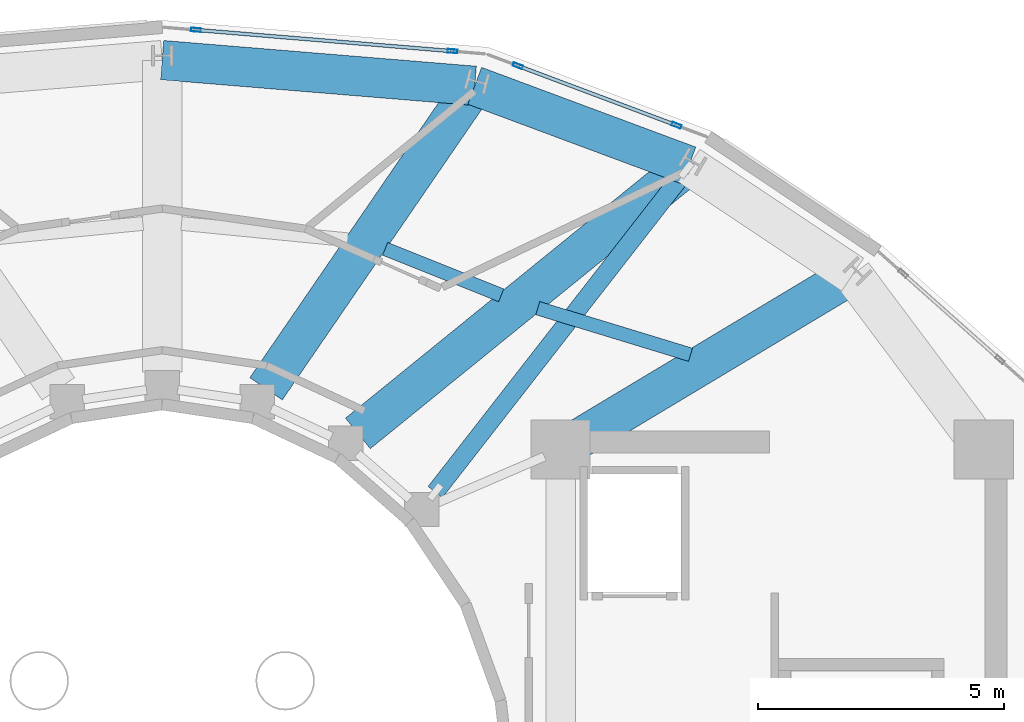
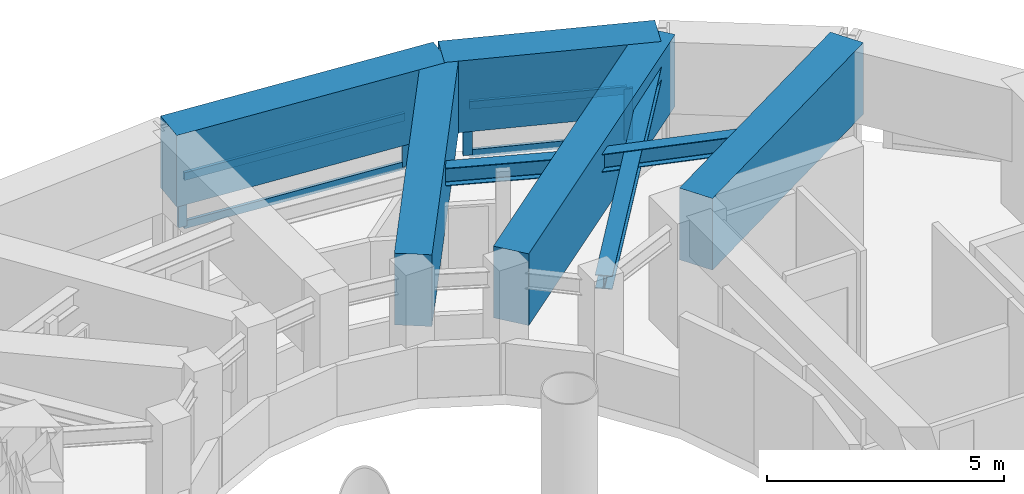
# One storey, part 9 of 17: 9 members, 7 beams, 2 elements without a shape of their own.
"""IFC4 building model written with IfcOpenShell, lengths in metres."""

from ifc_helpers import new_model, si_unit, direction, frame, origin, origin_2d, place, context, subcontext, project, spatial, rectangle, hollow_rectangle, i_section, extrude, material, layer, layer_set, material_profile, profile_set, type_object, element, aggregate, save


model = new_model("IFC4")

# Units and contexts
model_context = context("Model", 3, precision=1e-05, world=origin(), true_north=direction((0.0, 1.0)))
body_context = subcontext(model_context, "Body", "Model", "MODEL_VIEW")
ifc_project = project(units=[si_unit("LENGTHUNIT", "METRE"), si_unit("AREAUNIT", "SQUARE_METRE"), si_unit("VOLUMEUNIT", "CUBIC_METRE"), si_unit("PLANEANGLEUNIT", "RADIAN"), si_unit("MASSUNIT", "GRAM", prefix="KILO")], contexts=[model_context])

# Site, building, storey
site_placement = place(None, origin())
site = spatial("IfcSite", under=ifc_project, at=site_placement, CompositionType="ELEMENT")
building_placement = place(site_placement, origin())
building = spatial("IfcBuilding", under=site, at=building_placement, Name="Solvane Sanctuary Tower", CompositionType="ELEMENT")
storey_placement = place(building_placement, frame((0.0, 0.0, 270.0)))
storey = spatial("IfcBuildingStorey", under=building, at=storey_placement, Name="L82", CompositionType="ELEMENT", Elevation=270.0)

# Beams
ifc_material_1 = material(Name="Steel ASTM A992 Grade 50", Category="steel")
ifc_material_profile_1 = material_profile(ifc_material_1, i_section(OverallWidth=0.280029296875, OverallDepth=0.462890625, WebThickness=0.0107421875, FlangeThickness=0.017333984375, FilletRadius=0.013916015625, at=origin_2d()), Name="W18X76")
ifc_profile_set_1 = profile_set([ifc_material_profile_1], Name="Steel ASTM A992 Grade 50")
beam_type_1 = type_object("IfcBeamType", Name="Beam B-SEC-JOIST W18X76", PredefinedType="JOIST", material=ifc_profile_set_1)
beam_1_placement = place(storey_placement, frame((36.531494140625, 34.27978515625, 2.70654296875), z_axis=(0.928403778537, -0.371572905361, 0.0), x_axis=(0.371572905361, 0.928403778537, 0.0)))
element("IfcBeam", 1, at=beam_1_placement, inside=storey, type_object=beam_type_1, Name="L82 Secondary Circumferential Joist 03-02", PredefinedType="JOIST", context=body_context, shape_type="SweptSolid", body=[
    extrude(i_section(OverallWidth=0.280029296875, OverallDepth=0.462890625, WebThickness=0.0107421875, FlangeThickness=0.017333984375, FilletRadius=0.013916015625, at=origin_2d()), origin(), (0.0, 0.0, 1.0), 2.540771484375),
])
beam_2_placement = place(storey_placement, frame((39.634765625, 33.07373046875, 2.70654296875), z_axis=(0.956493340027, -0.291754161041, 0.0), x_axis=(0.291754161041, 0.956493340027, 0.0)))
element("IfcBeam", 2, at=beam_2_placement, inside=storey, type_object=beam_type_1, Name="L82 Secondary Circumferential Joist 02-01", PredefinedType="JOIST", context=body_context, shape_type="SweptSolid", body=[
    extrude(i_section(OverallWidth=0.280029296875, OverallDepth=0.462890625, WebThickness=0.0107421875, FlangeThickness=0.017333984375, FilletRadius=0.013916015625, at=origin_2d()), origin(), (0.0, 0.0, 1.0), 3.245849609375),
])
ifc_material_2 = material(Name="Concrete C70/85", Category="concrete")
ifc_material_profile_2 = material_profile(ifc_material_2, rectangle(XDim=0.800048828125, YDim=1.85009765625, at=origin_2d()), Name="RC800X1850")
ifc_profile_set_2 = profile_set([ifc_material_profile_2], Name="Concrete C70/85")
beam_type_2 = type_object("IfcBeamType", Name="Beam B-XFER-BLK RC800X1850", PredefinedType="BEAM", material=ifc_profile_set_2)
beam_3_placement = place(storey_placement, frame((40.40869140625, 30.38525390625, 2.27490234375), z_axis=(0.857355357387, 0.514724966521, 0.0), x_axis=(-0.514724966521, 0.857355357387, 0.0)))
element("IfcBeam", 3, at=beam_3_placement, inside=storey, type_object=beam_type_2, Name="L82 Block-Shift Radial Transfer Girder 01A", PredefinedType="BEAM", context=body_context, shape_type="SweptSolid", body=[
    extrude(rectangle(XDim=0.800048828125, YDim=1.85009765625, at=origin_2d()), origin(), (0.0, 0.0, 1.0), 6.578125),
])
beam_4_placement = place(storey_placement, frame((35.978515625, 30.5283203125, 2.27490234375), z_axis=(0.776498254758, 0.630119401667, 0.0), x_axis=(-0.630119401667, 0.776498254758, 0.0)))
element("IfcBeam", 4, at=beam_4_placement, inside=storey, type_object=beam_type_2, Name="L82 Block-Shift Radial Transfer Girder 02A", PredefinedType="BEAM", context=body_context, shape_type="SweptSolid", body=[
    extrude(rectangle(XDim=0.800048828125, YDim=1.85009765625, at=origin_2d()), origin(), (0.0, 0.0, 1.0), 8.66455078125),
])
beam_5_placement = place(storey_placement, frame((34.11181640625, 31.435546875, 2.27490234375), z_axis=(0.565871663748, 0.824493335429, 0.0), x_axis=(-0.824493335429, 0.565871663748, 0.0)))
element("IfcBeam", 5, at=beam_5_placement, inside=storey, type_object=beam_type_2, Name="L82 Block-Shift Radial Transfer Girder 03A", PredefinedType="BEAM", context=body_context, shape_type="SweptSolid", body=[
    extrude(rectangle(XDim=0.800048828125, YDim=1.85009765625, at=origin_2d()), origin(), (0.0, 0.0, 1.0), 7.4755859375),
])
beam_6_placement = place(storey_placement, frame((32.0, 38.115966796875, 2.27490234375), z_axis=(0.996639145051, -0.081917120015, 0.0), x_axis=(0.081917120015, 0.996639145051, 0.0)))
element("IfcBeam", 6, at=beam_6_placement, inside=storey, type_object=beam_type_2, Name="L82 Perimeter Step Transfer Ring NTC04-NTC03", PredefinedType="BEAM", context=body_context, shape_type="SweptSolid", body=[
    extrude(rectangle(XDim=0.800048828125, YDim=1.85009765625, at=origin_2d()), origin(), (0.0, 0.0, 1.0), 6.375),
])
beam_7_placement = place(storey_placement, frame((38.353515625, 37.59375, 2.27490234375), z_axis=(0.937181506682, -0.348842118348, 0.0), x_axis=(0.348842118348, 0.937181506682, 0.0)))
element("IfcBeam", 7, at=beam_7_placement, inside=storey, type_object=beam_type_2, Name="L82 Perimeter Step Transfer Ring NTC03-NTC02", PredefinedType="BEAM", context=body_context, shape_type="SweptSolid", body=[
    extrude(rectangle(XDim=0.800048828125, YDim=1.85009765625, at=origin_2d()), origin(), (0.0, 0.0, 1.0), 4.646484375),
])

# Member
ifc_material_profile_3 = material_profile(ifc_material_1, i_section(OverallWidth=0.368896484375, OverallDepth=0.35595703125, WebThickness=0.01123046875, FlangeThickness=0.01806640625, FilletRadius=0.02490234375, at=origin_2d()), Name="W14X90")
ifc_profile_set_3 = profile_set([ifc_material_profile_3], Name="Steel ASTM A992 Grade 50")
member_type_1 = type_object("IfcMemberType", Name="Member M-CROWN-TIE W14X90", PredefinedType="CHORD", material=ifc_profile_set_3)
member_1_placement = place(storey_placement, frame((37.5537109375, 29.33984375, 2.54052734375), z_axis=(0.614546206498, 0.788532701367, 0.02343371403), x_axis=(-0.788749297589, 0.614715011654, 0.0)))
element("IfcMember", 8, at=member_1_placement, inside=storey, type_object=member_type_1, Name="L82 Crown Bracing Tie 01", PredefinedType="CHORD", context=body_context, shape_type="SweptSolid", body=[
    extrude(i_section(OverallWidth=0.368896484375, OverallDepth=0.35595703125, WebThickness=0.01123046875, FlangeThickness=0.01806640625, FilletRadius=0.02490234375, at=origin_2d()), origin(), (0.0, 0.0, 1.0), 8.29296875),
])

# Curtain wall, members
ifc_material_3 = material(Name="Anodised Aluminium 6063-T6", Category="aluminium")
ifc_layer = layer(ifc_material_3, 0.219970703125, Name="Anodised Aluminium 6063-T6")
ifc_layer_set = layer_set([ifc_layer], Name="Anodised Aluminium 6063-T6")
curtain_wall_type = type_object("IfcCurtainWallType", Name="Curtain Wall CW-CROWN", PredefinedType="NOTDEFINED", material=ifc_layer_set)
curtain_wall_1_placement = place(storey_placement, origin())
curtain_wall_1 = element("IfcCurtainWall", 9, at=curtain_wall_1_placement, inside=storey, type_object=curtain_wall_type, Name="L82 Crown Fritted Lantern Curtain Wall 04", PredefinedType="NOTDEFINED")
ifc_material_profile_4 = material_profile(ifc_material_3, hollow_rectangle(XDim=0.074951171875, YDim=0.199951171875, WallThickness=0.00390625, at=origin_2d()), Name="ALU200X75X4")
ifc_profile_set_4 = profile_set([ifc_material_profile_4], Name="Anodised Aluminium 6063-T6")
member_type_2 = type_object("IfcMemberType", Name="Member M-CW-MUL-1 ALU200X75X4", PredefinedType="MULLION", material=ifc_profile_set_4)
member_2_placement = place(storey_placement, frame((42.455322265625, 36.790283203125, 0.0), z_axis=(0.0, 0.0, 1.0), x_axis=(-0.351170134187, -0.936311666517, 0.0)))
member_2 = element("IfcMember", 10, at=member_2_placement, type_object=member_type_2, Name="CW-CROWN mullion 1", PredefinedType="MULLION", context=body_context, shape_type="SweptSolid", body=[
    extrude(hollow_rectangle(XDim=0.074951171875, YDim=0.199951171875, WallThickness=0.00390625, at=origin_2d()), origin(), (0.0, 0.0, 1.0), 1.320068359375),
])
member_3_placement = place(storey_placement, frame((39.229248046875, 38.000244140625, 0.0), z_axis=(0.0, 0.0, 1.0), x_axis=(-0.351170134187, -0.936311666517, 0.0)))
member_3 = element("IfcMember", 11, at=member_3_placement, type_object=member_type_2, Name="CW-CROWN mullion 2", PredefinedType="MULLION", context=body_context, shape_type="SweptSolid", body=[
    extrude(hollow_rectangle(XDim=0.074951171875, YDim=0.199951171875, WallThickness=0.00390625, at=origin_2d()), origin(), (0.0, 0.0, 1.0), 1.320068359375),
])

curtain_wall_2_placement = place(storey_placement, origin())
curtain_wall_2 = element("IfcCurtainWall", 12, at=curtain_wall_2_placement, inside=storey, type_object=curtain_wall_type, Name="L82 Crown Fritted Lantern Curtain Wall 05", PredefinedType="NOTDEFINED")
member_4_placement = place(storey_placement, frame((37.900390625, 38.29833984375, 0.0), z_axis=(0.0, 0.0, 1.0), x_axis=(-0.08253563446, -0.996588114039, 0.0)))
member_4 = element("IfcMember", 13, at=member_4_placement, type_object=member_type_2, Name="CW-CROWN mullion 1", PredefinedType="MULLION", context=body_context, shape_type="SweptSolid", body=[
    extrude(hollow_rectangle(XDim=0.074951171875, YDim=0.199951171875, WallThickness=0.00390625, at=origin_2d()), origin(), (0.0, 0.0, 1.0), 1.320068359375),
])
member_5_placement = place(storey_placement, frame((32.68505859375, 38.730224609375, 0.0), z_axis=(0.0, 0.0, 1.0), x_axis=(-0.08253563446, -0.996588114039, 0.0)))
member_5 = element("IfcMember", 14, at=member_5_placement, type_object=member_type_2, Name="CW-CROWN mullion 2", PredefinedType="MULLION", context=body_context, shape_type="SweptSolid", body=[
    extrude(hollow_rectangle(XDim=0.074951171875, YDim=0.199951171875, WallThickness=0.00390625, at=origin_2d()), origin(), (0.0, 0.0, 1.0), 1.320068359375),
])

# Member
ifc_material_profile_5 = material_profile(ifc_material_3, hollow_rectangle(XDim=0.074951171875, YDim=0.199951171875, WallThickness=0.00390625, at=origin_2d()), Name="ALU200X75X4")
ifc_profile_set_5 = profile_set([ifc_material_profile_5], Name="Anodised Aluminium 6063-T6")
member_type_3 = type_object("IfcMemberType", Name="Member M-CW-TRN-2 ALU200X75X4", PredefinedType="USERDEFINED", material=ifc_profile_set_5)
member_6_placement = place(storey_placement, frame((42.420166015625, 36.80322265625, 0.03759765625), z_axis=(-0.936287496368, 0.351234571398, 0.0), x_axis=(-0.351234571398, -0.936287496368, 0.0)))
member_6 = element("IfcMember", 15, at=member_6_placement, type_object=member_type_3, Name="CW-CROWN transom 1.1", ObjectType="TRANSOM", PredefinedType="USERDEFINED", context=body_context, shape_type="SweptSolid", body=[
    extrude(hollow_rectangle(XDim=0.074951171875, YDim=0.199951171875, WallThickness=0.00390625, at=origin_2d()), origin(), (0.0, 0.0, 1.0), 3.37060546875),
])

member_7_placement = place(storey_placement, frame((42.420166015625, 36.80322265625, 1.282470703125), z_axis=(-0.936287496368, 0.351234571398, 0.0), x_axis=(-0.351234571398, -0.936287496368, 0.0)))
member_7 = element("IfcMember", 16, at=member_7_placement, type_object=member_type_3, Name="CW-CROWN transom 1.2", ObjectType="TRANSOM", PredefinedType="USERDEFINED", context=body_context, shape_type="SweptSolid", body=[
    extrude(hollow_rectangle(XDim=0.074951171875, YDim=0.199951171875, WallThickness=0.00390625, at=origin_2d()), origin(), (0.0, 0.0, 1.0), 3.37060546875),
])

aggregate(curtain_wall_1, [member_2, member_3, member_6, member_7])

member_8_placement = place(storey_placement, frame((37.863037109375, 38.30126953125, 0.03759765625), z_axis=(-0.996587090868, 0.082547987959, 0.0), x_axis=(-0.082547987959, -0.996587090868, 0.0)))
member_8 = element("IfcMember", 17, at=member_8_placement, type_object=member_type_3, Name="CW-CROWN transom 1.1", ObjectType="TRANSOM", PredefinedType="USERDEFINED", context=body_context, shape_type="SweptSolid", body=[
    extrude(hollow_rectangle(XDim=0.074951171875, YDim=0.199951171875, WallThickness=0.00390625, at=origin_2d()), origin(), (0.0, 0.0, 1.0), 5.157958984375),
])

member_9_placement = place(storey_placement, frame((37.863037109375, 38.30126953125, 1.282470703125), z_axis=(-0.996587090868, 0.082547987959, 0.0), x_axis=(-0.082547987959, -0.996587090868, 0.0)))
member_9 = element("IfcMember", 18, at=member_9_placement, type_object=member_type_3, Name="CW-CROWN transom 1.2", ObjectType="TRANSOM", PredefinedType="USERDEFINED", context=body_context, shape_type="SweptSolid", body=[
    extrude(hollow_rectangle(XDim=0.074951171875, YDim=0.199951171875, WallThickness=0.00390625, at=origin_2d()), origin(), (0.0, 0.0, 1.0), 5.157958984375),
])

aggregate(curtain_wall_2, [member_4, member_5, member_8, member_9])

save(model, "model.ifc")
